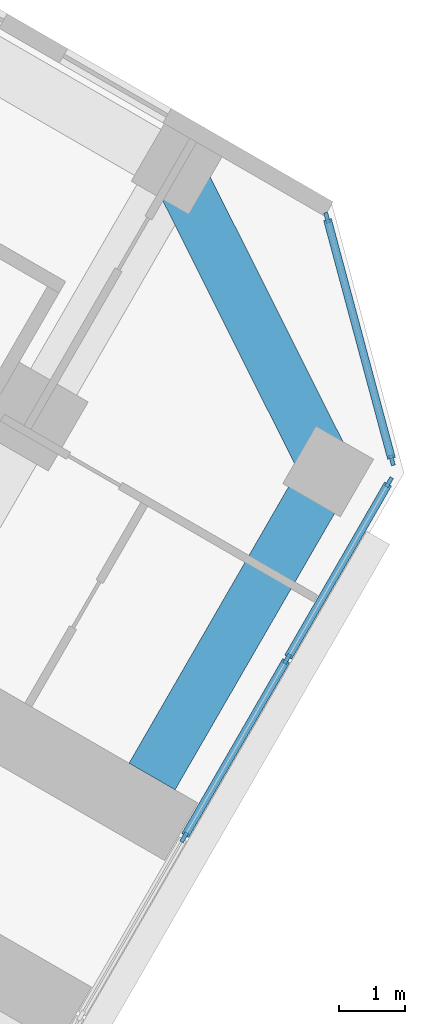
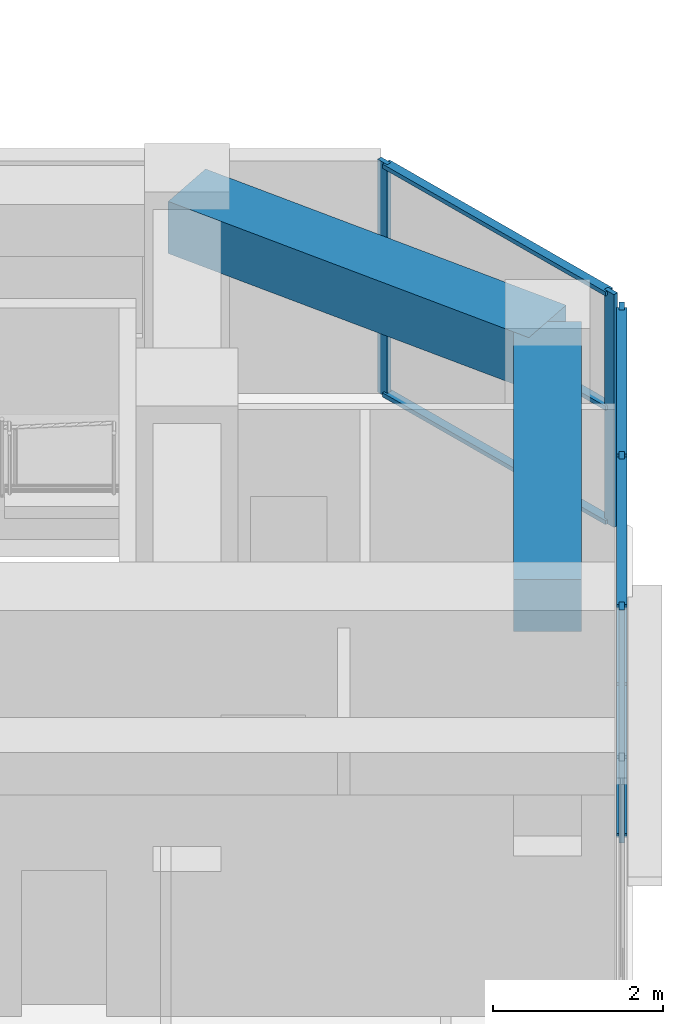
# One storey, part 8 of 21: 12 members, 2 beams, 2 elements without a shape of their own.
"""IFC4 building model written with IfcOpenShell, lengths in metres."""

from ifc_helpers import new_model, si_unit, direction, frame, origin, origin_2d, place, context, subcontext, project, spatial, rectangle, extrude, material, material_profile, profile_set, type_object, element, aggregate, save


model = new_model("IFC4")

# Units and contexts
model_context = context("Model", 3, precision=1e-05, world=origin(), true_north=direction((0.0, 1.0)))
body_context = subcontext(model_context, "Body", "Model", "MODEL_VIEW")
ifc_project = project(units=[si_unit("LENGTHUNIT", "METRE"), si_unit("AREAUNIT", "SQUARE_METRE"), si_unit("VOLUMEUNIT", "CUBIC_METRE"), si_unit("PLANEANGLEUNIT", "RADIAN"), si_unit("MASSUNIT", "GRAM", prefix="KILO")], contexts=[model_context])

# Site, building, storey
site_placement = place(None, origin())
site = spatial("IfcSite", under=ifc_project, at=site_placement, CompositionType="ELEMENT")
building_placement = place(site_placement, origin())
building = spatial("IfcBuilding", under=site, at=building_placement, Name="Kosmar Iwan School Tower", CompositionType="ELEMENT")
storey_placement = place(building_placement, frame((0.0, 0.0, 57.39990234375)))
storey = spatial("IfcBuildingStorey", under=building, at=storey_placement, Name="L13", CompositionType="ELEMENT", Elevation=57.39990234375)

# Curtain wall, members
ifc_material_1 = material(Name="Dark glass in black aluminium frame", Category="aluminium")
curtain_wall_type_1 = type_object("IfcCurtainWallType", Name="Tower curtain wall dark glass", PredefinedType="USERDEFINED", material=ifc_material_1)
curtain_wall_1_placement = place(storey_placement, origin())
curtain_wall_1 = element("IfcCurtainWall", 1, at=curtain_wall_1_placement, inside=storey, type_object=curtain_wall_type_1, Name="Curtain wall L13-F03", ObjectType="UNITISED CURTAIN WALL", PredefinedType="USERDEFINED")
ifc_material_2 = material(Name="Black anodised aluminium", Category="aluminium")
ifc_material_profile_1 = material_profile(ifc_material_2, rectangle(XDim=0.06005859375, YDim=0.159912109375, at=origin_2d()), Name="MULLION 60x160")
ifc_profile_set_1 = profile_set([ifc_material_profile_1], Name="Black anodised aluminium")
member_type_1 = type_object("IfcMemberType", Name="Mullion 60x160", PredefinedType="MULLION", material=ifc_profile_set_1)
member_1_placement = place(storey_placement, frame((30.631103515625, -15.8955078125, 0.0), z_axis=(0.0, 0.0, 1.0), x_axis=(-0.866025405329, 0.499999997325, 0.0)))
member_1 = element("IfcMember", 2, at=member_1_placement, type_object=member_type_1, Name="CW1 mullion 4", PredefinedType="MULLION", context=body_context, shape_type="SweptSolid", body=[
    extrude(rectangle(XDim=0.06005859375, YDim=0.159912109375, at=origin_2d()), origin(), (0.0, 0.0, 1.0), 3.35009765625),
])
member_2_placement = place(storey_placement, frame((32.1806640625, -13.21142578125, 0.0), z_axis=(0.0, 0.0, 1.0), x_axis=(-0.866025405329, 0.499999997325, 0.0)))
member_2 = element("IfcMember", 3, at=member_2_placement, type_object=member_type_1, Name="CW1 mullion 5", PredefinedType="MULLION", context=body_context, shape_type="SweptSolid", body=[
    extrude(rectangle(XDim=0.06005859375, YDim=0.159912109375, at=origin_2d()), origin(), (0.0, 0.0, 1.0), 3.35009765625),
])
member_3_placement = place(storey_placement, frame((33.71533203125, -10.55322265625, 0.0), z_axis=(0.0, 0.0, 1.0), x_axis=(-0.866025405329, 0.499999997325, 0.0)))
member_3 = element("IfcMember", 4, at=member_3_placement, type_object=member_type_1, Name="CW1 mullion 6", PredefinedType="MULLION", context=body_context, shape_type="SweptSolid", body=[
    extrude(rectangle(XDim=0.06005859375, YDim=0.159912109375, at=origin_2d()), origin(), (0.0, 0.0, 1.0), 3.35009765625),
])

ifc_material_3 = material(Name="Dark glass in black aluminium frame", Category="aluminium")
curtain_wall_type_2 = type_object("IfcCurtainWallType", Name="Chamfer curtain wall dark glass", PredefinedType="USERDEFINED", material=ifc_material_3)
curtain_wall_2_placement = place(storey_placement, origin())
curtain_wall_2 = element("IfcCurtainWall", 5, at=curtain_wall_2_placement, inside=storey, type_object=curtain_wall_type_2, Name="Curtain wall L13-F04", ObjectType="FACETED CURTAIN WALL", PredefinedType="USERDEFINED")
member_4_placement = place(storey_placement, frame((33.7587890625, -10.2236328125, 0.0), z_axis=(0.0, 0.0, 1.0), x_axis=(-0.965925875495, -0.258818861462, 0.0)))
member_4 = element("IfcMember", 6, at=member_4_placement, type_object=member_type_1, Name="CW2 mullion 1", PredefinedType="MULLION", context=body_context, shape_type="SweptSolid", body=[
    extrude(rectangle(XDim=0.06005859375, YDim=0.159912109375, at=origin_2d()), origin(), (0.0, 0.0, 1.0), 3.35009765625),
])
member_5_placement = place(storey_placement, frame((32.78076171875, -6.5732421875, 0.0), z_axis=(0.0, 0.0, 1.0), x_axis=(-0.965925875495, -0.258818861462, 0.0)))
member_5 = element("IfcMember", 7, at=member_5_placement, type_object=member_type_1, Name="CW2 mullion 2", PredefinedType="MULLION", context=body_context, shape_type="SweptSolid", body=[
    extrude(rectangle(XDim=0.06005859375, YDim=0.159912109375, at=origin_2d()), origin(), (0.0, 0.0, 1.0), 3.35009765625),
])

# Beams
ifc_material_4 = material(Name="Concrete C50/60", Category="concrete")
ifc_material_profile_2 = material_profile(ifc_material_4, rectangle(XDim=0.800048828125, YDim=0.75, at=origin_2d()), Name="RC 800x750")
ifc_profile_set_2 = profile_set([ifc_material_profile_2], Name="Concrete C50/60")
beam_type = type_object("IfcBeamType", Name="RC tip beam 800x750", PredefinedType="BEAM", material=ifc_profile_set_2)
beam_1_placement = place(storey_placement, frame((30.517822265625, -5.841552734375, 2.97509765625), z_axis=(0.44809604203, -0.893985423325, 0.0), x_axis=(0.893985423325, 0.44809604203, 0.0)))
element("IfcBeam", 8, at=beam_1_placement, inside=storey, type_object=beam_type, Name="Tip beam CL", PredefinedType="BEAM", context=body_context, shape_type="SweptSolid", body=[
    extrude(rectangle(XDim=0.800048828125, YDim=0.75, at=origin_2d()), origin(), (0.0, 0.0, 1.0), 5.08935546875),
])
beam_2_placement = place(storey_placement, frame((32.79833984375, -10.391357421875, 2.97509765625), z_axis=(-0.499973660256, -0.866040610509, 0.0), x_axis=(0.866040610509, -0.499973660256, 0.0)))
element("IfcBeam", 9, at=beam_2_placement, inside=storey, type_object=beam_type, Name="Tip beam CL to corridor wall", PredefinedType="BEAM", context=body_context, shape_type="SweptSolid", body=[
    extrude(rectangle(XDim=0.800048828125, YDim=0.75, at=origin_2d()), origin(), (0.0, 0.0, 1.0), 5.300048828125),
])

# Member
ifc_material_5 = material(Name="Black anodised aluminium", Category="aluminium")
ifc_material_profile_3 = material_profile(ifc_material_5, rectangle(XDim=0.1201171875, YDim=0.06005859375, at=origin_2d()), Name="TRANSOM 60x120")
ifc_profile_set_3 = profile_set([ifc_material_profile_3], Name="Black anodised aluminium")
member_type_2 = type_object("IfcMemberType", Name="Transom 60x120", PredefinedType="USERDEFINED", material=ifc_profile_set_3)
member_6_placement = place(storey_placement, frame((30.64599609375, -15.869384765625, 0.030029296875), z_axis=(0.500035348339, 0.866004994449, 0.0), x_axis=(-0.866004994449, 0.500035348339, 0.0)))
member_6 = element("IfcMember", 10, at=member_6_placement, type_object=member_type_2, Name="CW1 transom 4.1", ObjectType="TRANSOM", PredefinedType="USERDEFINED", context=body_context, shape_type="SweptSolid", body=[
    extrude(rectangle(XDim=0.1201171875, YDim=0.06005859375, at=origin_2d()), origin(), (0.0, 0.0, 1.0), 3.039306640625),
])

member_7_placement = place(storey_placement, frame((30.64599609375, -15.869384765625, 3.320068359375), z_axis=(0.500035348339, 0.866004994449, 0.0), x_axis=(-0.866004994449, 0.500035348339, 0.0)))
member_7 = element("IfcMember", 11, at=member_7_placement, type_object=member_type_2, Name="CW1 transom 4.2", ObjectType="TRANSOM", PredefinedType="USERDEFINED", context=body_context, shape_type="SweptSolid", body=[
    extrude(rectangle(XDim=0.1201171875, YDim=0.06005859375, at=origin_2d()), origin(), (0.0, 0.0, 1.0), 3.039306640625),
])

member_8_placement = place(storey_placement, frame((32.19580078125, -13.185302734375, 0.030029296875), z_axis=(0.500022102064, 0.866012642776, 0.0), x_axis=(-0.866012642776, 0.500022102064, 0.0)))
member_8 = element("IfcMember", 12, at=member_8_placement, type_object=member_type_2, Name="CW1 transom 5.1", ObjectType="TRANSOM", PredefinedType="USERDEFINED", context=body_context, shape_type="SweptSolid", body=[
    extrude(rectangle(XDim=0.1201171875, YDim=0.06005859375, at=origin_2d()), origin(), (0.0, 0.0, 1.0), 3.009033203125),
])

member_9_placement = place(storey_placement, frame((32.19580078125, -13.185302734375, 3.320068359375), z_axis=(0.500022102064, 0.866012642776, 0.0), x_axis=(-0.866012642776, 0.500022102064, 0.0)))
member_9 = element("IfcMember", 13, at=member_9_placement, type_object=member_type_2, Name="CW1 transom 5.2", ObjectType="TRANSOM", PredefinedType="USERDEFINED", context=body_context, shape_type="SweptSolid", body=[
    extrude(rectangle(XDim=0.1201171875, YDim=0.06005859375, at=origin_2d()), origin(), (0.0, 0.0, 1.0), 3.009033203125),
])

aggregate(curtain_wall_1, [member_1, member_2, member_3, member_6, member_7, member_8, member_9])

member_10_placement = place(storey_placement, frame((33.7509765625, -10.194580078125, 0.030029296875), z_axis=(-0.258843273983, 0.965919333854, 0.0), x_axis=(-0.965919333854, -0.258843273983, 0.0)))
member_10 = element("IfcMember", 14, at=member_10_placement, type_object=member_type_2, Name="CW2 transom 1.1", ObjectType="TRANSOM", PredefinedType="USERDEFINED", context=body_context, shape_type="SweptSolid", body=[
    extrude(rectangle(XDim=0.1201171875, YDim=0.06005859375, at=origin_2d()), origin(), (0.0, 0.0, 1.0), 3.718994140625),
])

member_11_placement = place(storey_placement, frame((33.7509765625, -10.194580078125, 1.675048828125), z_axis=(-0.258843273983, 0.965919333854, 0.0), x_axis=(-0.965919333854, -0.258843273983, 0.0)))
member_11 = element("IfcMember", 15, at=member_11_placement, type_object=member_type_2, Name="CW2 transom 1.2", ObjectType="TRANSOM", PredefinedType="USERDEFINED", context=body_context, shape_type="SweptSolid", body=[
    extrude(rectangle(XDim=0.1201171875, YDim=0.06005859375, at=origin_2d()), origin(), (0.0, 0.0, 1.0), 3.718994140625),
])

member_12_placement = place(storey_placement, frame((33.7509765625, -10.194580078125, 3.320068359375), z_axis=(-0.258843273983, 0.965919333854, 0.0), x_axis=(-0.965919333854, -0.258843273983, 0.0)))
member_12 = element("IfcMember", 16, at=member_12_placement, type_object=member_type_2, Name="CW2 transom 1.3", ObjectType="TRANSOM", PredefinedType="USERDEFINED", context=body_context, shape_type="SweptSolid", body=[
    extrude(rectangle(XDim=0.1201171875, YDim=0.06005859375, at=origin_2d()), origin(), (0.0, 0.0, 1.0), 3.718994140625),
])

aggregate(curtain_wall_2, [member_4, member_5, member_10, member_11, member_12])

save(model, "model.ifc")
